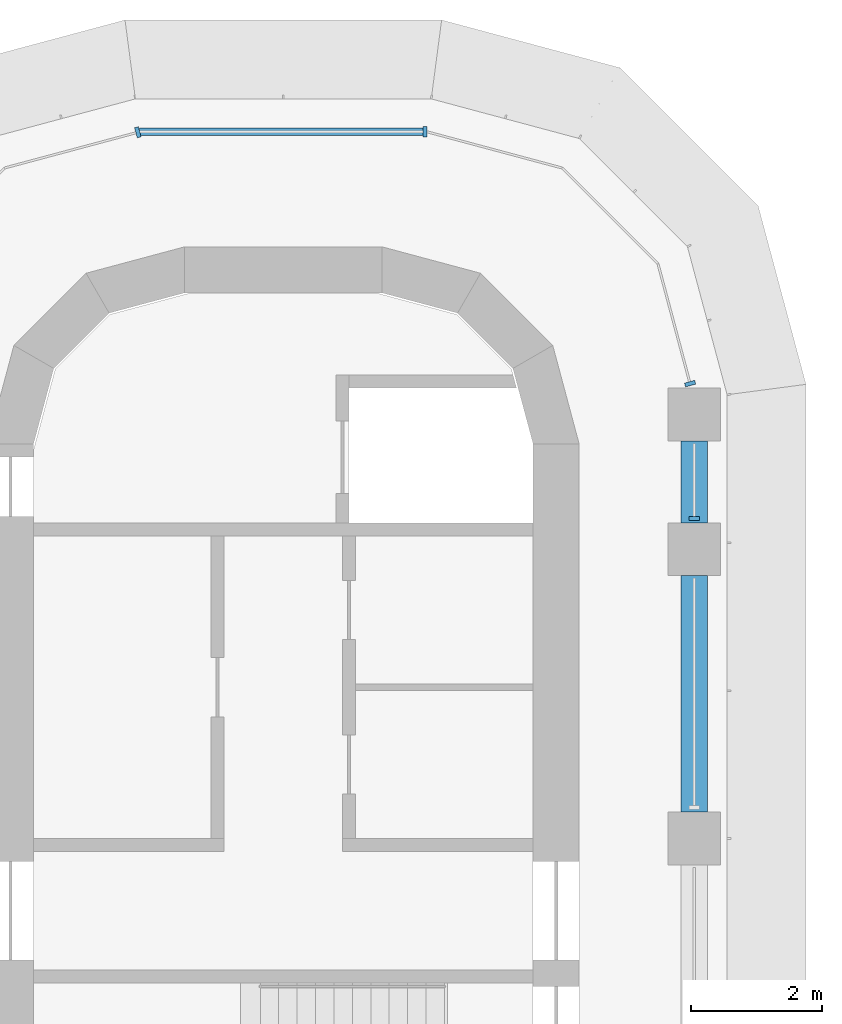
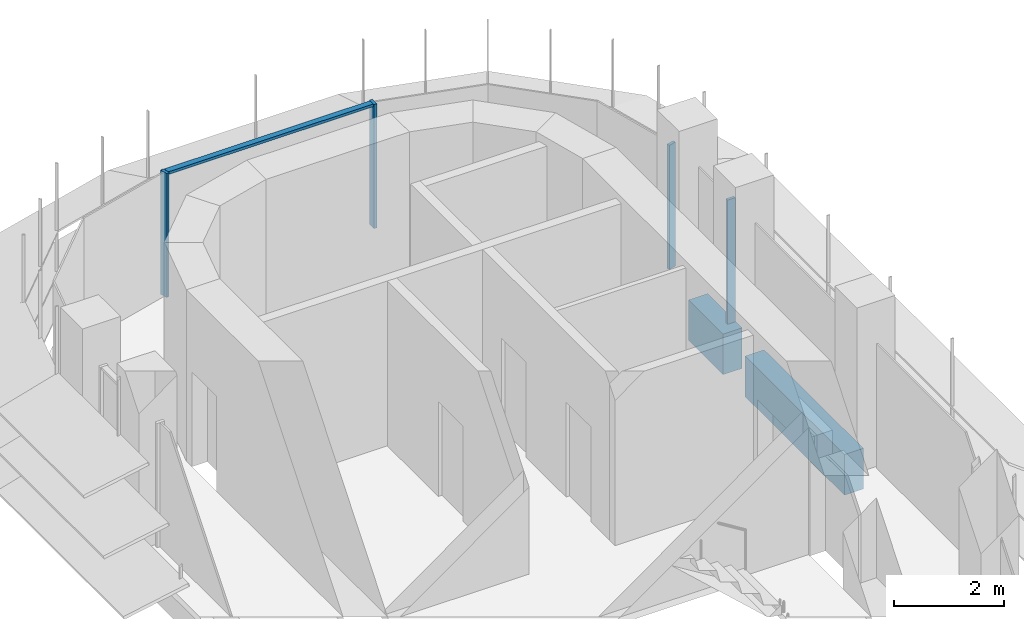
# One storey, part 9 of 19: 5 members, 2 beams, 4 elements without a shape of their own.
"""IFC4 building model written with IfcOpenShell, lengths in metres."""

from ifc_helpers import new_model, si_unit, direction, frame, origin, origin_2d, place, context, subcontext, project, spatial, polyline, rectangle, outline, extrude, source, transform, mapped, material, material_profile, profile_set, type_object, element, aggregate, save


model = new_model("IFC4")

# Units and contexts
model_context = context("Model", 3, precision=1e-05, world=origin(), true_north=direction((0.0, 1.0)))
body_context = subcontext(model_context, "Body", "Model", "MODEL_VIEW")
ifc_project = project(units=[si_unit("LENGTHUNIT", "METRE"), si_unit("AREAUNIT", "SQUARE_METRE"), si_unit("VOLUMEUNIT", "CUBIC_METRE"), si_unit("PLANEANGLEUNIT", "RADIAN"), si_unit("MASSUNIT", "GRAM", prefix="KILO")], contexts=[model_context])

# Site, building, storey
site_placement = place(None, origin())
site = spatial("IfcSite", under=ifc_project, at=site_placement, CompositionType="ELEMENT")
building_placement = place(site_placement, origin())
building = spatial("IfcBuilding", under=site, at=building_placement, Name="Zarbagh Exchange Tower", CompositionType="ELEMENT")
storey_placement = place(building_placement, frame((0.0, 0.0, 182.800048828125)))
storey = spatial("IfcBuildingStorey", under=building, at=storey_placement, Name="L44", CompositionType="ELEMENT", Elevation=182.800048828125)

# Beams
ifc_material_1 = material(Name="Concrete C50/60", Category="concrete")
ifc_material_profile = material_profile(ifc_material_1, rectangle(XDim=0.39990234375, YDim=0.89990234375, at=origin_2d()), Name="RC spandrel beam 400 x 900 C50/60")
ifc_profile_set = profile_set([ifc_material_profile], Name="Concrete C50/60")
beam_type = type_object("IfcBeamType", Name="RC spandrel beam 400 x 900 C50/60", PredefinedType="SPANDREL", material=ifc_profile_set)
beam_1_placement = place(storey_placement, frame((6.25, 26.300048828125, -0.60009765625), z_axis=(0.0, -1.0, 0.0), x_axis=(1.0, 0.0, 0.0)))
element("IfcBeam", 1, at=beam_1_placement, inside=storey, type_object=beam_type, Name="RC spandrel beam", PredefinedType="SPANDREL", context=body_context, shape_type="SweptSolid", body=[
    extrude(rectangle(XDim=0.39990234375, YDim=0.89990234375, at=origin_2d()), origin(), (0.0, 0.0, 1.0), 1.25),
])
beam_2_placement = place(storey_placement, frame((6.25, 24.25, -0.60009765625), z_axis=(0.0, -1.0, 0.0), x_axis=(1.0, 0.0, 0.0)))
element("IfcBeam", 2, at=beam_2_placement, inside=storey, type_object=beam_type, Name="RC spandrel beam", PredefinedType="SPANDREL", context=body_context, shape_type="SweptSolid", body=[
    extrude(rectangle(XDim=0.39990234375, YDim=0.89990234375, at=origin_2d()), origin(), (0.0, 0.0, 1.0), 3.60009765625),
])

# Curtain wall, member
ifc_material_2 = material(Name="Anodised aluminium frame and glazing", Category="aluminium")
curtain_wall_type = type_object("IfcCurtainWallType", Name="CWB Ribbon glazing, upper zones", PredefinedType="NOTDEFINED", material=ifc_material_2)
curtain_wall_1_placement = place(storey_placement, origin())
curtain_wall_1 = element("IfcCurtainWall", 3, at=curtain_wall_1_placement, inside=storey, type_object=curtain_wall_type, Name="CWB20 curtain wall", PredefinedType="NOTDEFINED")
ifc_material_3 = material(Name="Anodised aluminium frame", Category="aluminium")
member_type_1 = type_object("IfcMemberType", Name="MUB Mullion, anodised aluminium frame", PredefinedType="MULLION", material=ifc_material_3)
shared_shape_1 = source(origin(), body_context, "Body", "SweptSolid", [
    extrude(outline(polyline([(0.0, -0.080078125), (0.06005859375, -0.080078125), (0.06005859375, 0.080078125), (0.0, 0.080078125), (0.0, -0.080078125)])), origin(), (0.0, 0.0, 1.0), 2.75),
])
placement = place(storey_placement, origin())
member_1 = element("IfcMember", 4, at=placement, type_object=member_type_1, Name="CWB20 mullion 4.1", PredefinedType="MULLION", context=body_context, shape_type="MappedRepresentation", body=[
    mapped(shared_shape_1, transform((6.25, 25.090087890625, 0.0), x_axis=(0.0, 1.0, 0.0), y_axis=(-1.0, 0.0, 0.0), z_axis=(0.0, 0.0, 1.0))),
])
aggregate(curtain_wall_1, [member_1])

curtain_wall_2_placement = place(storey_placement, origin())
curtain_wall_2 = element("IfcCurtainWall", 5, at=curtain_wall_2_placement, inside=storey, type_object=curtain_wall_type, Name="CWB21 curtain wall", PredefinedType="NOTDEFINED")
member_2 = element("IfcMember", 6, at=placement, type_object=member_type_1, Name="CWB21 mullion 1.1", PredefinedType="MULLION", context=body_context, shape_type="MappedRepresentation", body=[
    mapped(shared_shape_1, transform((6.19482421875, 27.139892578125, 0.0), x_axis=(-0.258824779902, 0.965924289636, 0.0), y_axis=(-0.965924289636, -0.258824779902, 0.0), z_axis=(0.0, 0.0, 1.0))),
])
aggregate(curtain_wall_2, [member_2])

curtain_wall_3_placement = place(storey_placement, origin())
curtain_wall_3 = element("IfcCurtainWall", 7, at=curtain_wall_3_placement, inside=storey, type_object=curtain_wall_type, Name="CWB24 curtain wall", PredefinedType="NOTDEFINED")
member_3 = element("IfcMember", 8, at=placement, type_object=member_type_1, Name="CWB24 mullion 1.1", PredefinedType="MULLION", context=body_context, shape_type="MappedRepresentation", body=[
    mapped(shared_shape_1, transform((2.18408203125, 31.0, 0.0), x_axis=(-1.0, 0.0, 0.0), y_axis=(0.0, -1.0, 0.0), z_axis=(0.0, 0.0, 1.0))),
])

curtain_wall_4_placement = place(storey_placement, origin())
curtain_wall_4 = element("IfcCurtainWall", 9, at=curtain_wall_4_placement, inside=storey, type_object=curtain_wall_type, Name="CWB25 curtain wall", PredefinedType="NOTDEFINED")
member_4 = element("IfcMember", 10, at=placement, type_object=member_type_1, Name="CWB25 mullion 1.1", PredefinedType="MULLION", context=body_context, shape_type="MappedRepresentation", body=[
    mapped(shared_shape_1, transform((-2.18408203125, 31.0, 0.0), x_axis=(-0.965924289636, -0.258824779902, 0.0), y_axis=(0.258824779902, -0.965924289636, 0.0), z_axis=(0.0, 0.0, 1.0))),
])
aggregate(curtain_wall_4, [member_4])

# Member
member_type_2 = type_object("IfcMemberType", Name="TRB Transom, anodised aluminium frame", PredefinedType="USERDEFINED", material=ifc_material_3)
shared_shape_2 = source(origin(), body_context, "Body", "SweptSolid", [
    extrude(outline(polyline([(-0.06005859375, -0.06005859375), (0.0, -0.06005859375), (0.0, 0.06005859375), (-0.06005859375, 0.06005859375), (-0.06005859375, -0.06005859375)])), origin(), (0.0, 0.0, 1.0), 4.308349609375),
])
member_5 = element("IfcMember", 11, at=placement, type_object=member_type_2, Name="CWB24 transom 1.1", ObjectType="TRANSOM", PredefinedType="USERDEFINED", context=body_context, shape_type="MappedRepresentation", body=[
    mapped(shared_shape_2, transform((2.124267578125, 31.0, 2.75), x_axis=(0.0, 0.0, 1.0), y_axis=(0.0, 1.0, 0.0), z_axis=(-1.0, 0.0, 0.0))),
])

aggregate(curtain_wall_3, [member_3, member_5])

save(model, "model.ifc")
